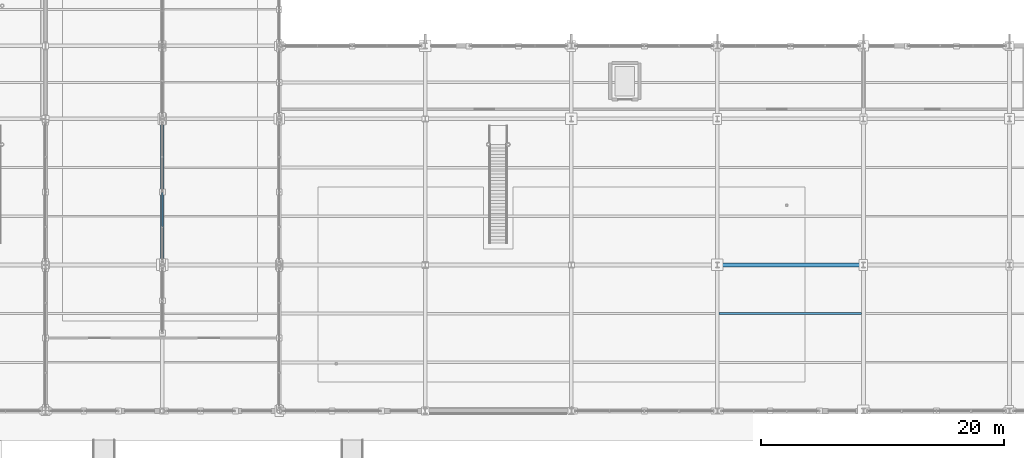
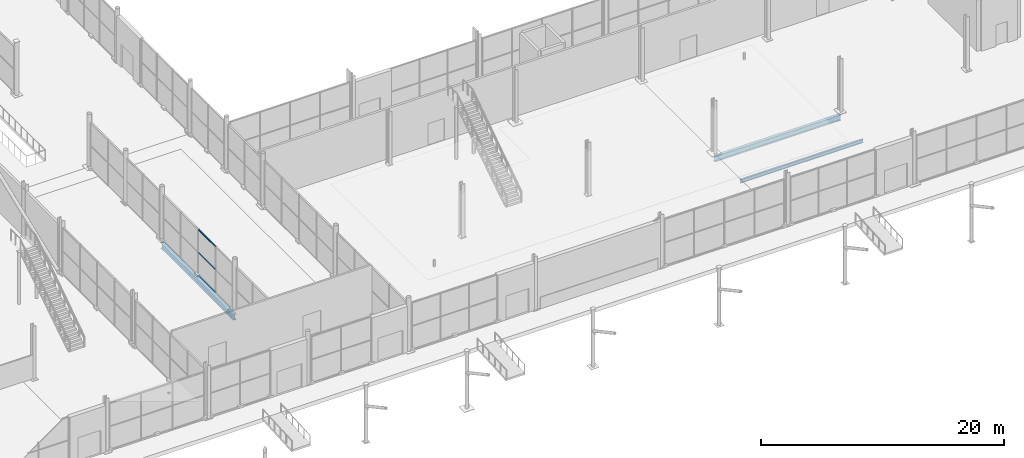
# One storey, part 72 of 196: 3 beams, 3 members, 1 element without a shape of its own.
"""IFC4 building model written with IfcOpenShell, lengths in metres."""

from ifc_helpers import new_model, si_unit, direction, frame, origin, origin_2d, place, context, subcontext, project, spatial, hollow_rectangle, i_section, extrude, material, material_profile, profile_set, type_object, element, aggregate, save


model = new_model("IFC4")

# Units and contexts
model_context = context("Model", 3, precision=1e-05, world=origin(), true_north=direction((0.0, 1.0)))
body_context = subcontext(model_context, "Body", "Model", "MODEL_VIEW")
ifc_project = project(units=[si_unit("LENGTHUNIT", "METRE"), si_unit("AREAUNIT", "SQUARE_METRE"), si_unit("VOLUMEUNIT", "CUBIC_METRE"), si_unit("PLANEANGLEUNIT", "RADIAN"), si_unit("MASSUNIT", "GRAM", prefix="KILO")], contexts=[model_context])

# Site, building, storey
site_placement = place(None, origin())
site = spatial("IfcSite", under=ifc_project, at=site_placement, CompositionType="ELEMENT")
building_placement = place(site_placement, origin())
building = spatial("IfcBuilding", under=site, at=building_placement, Name="Merenkruunu Market Hall", CompositionType="ELEMENT")
storey_placement = place(building_placement, origin())
storey = spatial("IfcBuildingStorey", under=building, at=storey_placement, Name="L00", CompositionType="ELEMENT", Elevation=0.0)

# Curtain wall, members
ifc_material_1 = material(Name="Powder-coated aluminium", Category="aluminium")
curtain_wall_type = type_object("IfcCurtainWallType", Name="Glazed Curtain Wall CW15", PredefinedType="USERDEFINED", material=ifc_material_1)
curtain_wall_placement = place(storey_placement, origin())
curtain_wall = element("IfcCurtainWall", 1, at=curtain_wall_placement, inside=storey, type_object=curtain_wall_type, Name="CW-L00-CWM01-170", ObjectType="GLAZED_FACADE", PredefinedType="USERDEFINED")
ifc_material_profile_1 = material_profile(ifc_material_1, hollow_rectangle(XDim=0.06005859375, YDim=0.125, WallThickness=0.00390625, at=origin_2d()), Name="ALU 60x125x4")
ifc_profile_set_1 = profile_set([ifc_material_profile_1], Name="Powder-coated aluminium")
member_type = type_object("IfcMemberType", Name="Curtain Wall Transom CWT01", PredefinedType="USERDEFINED", material=ifc_profile_set_1)
member_1_placement = place(storey_placement, frame((67.199951171875, 30.77001953125, 0.030029296875), z_axis=(0.0, 1.0, 0.0), x_axis=(0.0, 0.0, 1.0)))
member_1 = element("IfcMember", 2, at=member_1_placement, type_object=member_type, Name="CW15 transom 2.1", ObjectType="TRANSOM", PredefinedType="USERDEFINED", context=body_context, shape_type="SweptSolid", body=[
    extrude(hollow_rectangle(XDim=0.06005859375, YDim=0.125, WallThickness=0.00390625, at=origin_2d()), origin(), (0.0, 0.0, 1.0), 2.800048828125),
])
member_2_placement = place(storey_placement, frame((67.199951171875, 30.77001953125, 2.324951171875), z_axis=(0.0, 1.0, 0.0), x_axis=(0.0, 0.0, 1.0)))
member_2 = element("IfcMember", 3, at=member_2_placement, type_object=member_type, Name="CW15 transom 2.2", ObjectType="TRANSOM", PredefinedType="USERDEFINED", context=body_context, shape_type="SweptSolid", body=[
    extrude(hollow_rectangle(XDim=0.06005859375, YDim=0.125, WallThickness=0.00390625, at=origin_2d()), origin(), (0.0, 0.0, 1.0), 2.800048828125),
])
member_3_placement = place(storey_placement, frame((67.199951171875, 30.77001953125, 4.6201171875), z_axis=(0.0, 1.0, 0.0), x_axis=(0.0, 0.0, 1.0)))
member_3 = element("IfcMember", 4, at=member_3_placement, type_object=member_type, Name="CW15 transom 2.3", ObjectType="TRANSOM", PredefinedType="USERDEFINED", context=body_context, shape_type="SweptSolid", body=[
    extrude(hollow_rectangle(XDim=0.06005859375, YDim=0.125, WallThickness=0.00390625, at=origin_2d()), origin(), (0.0, 0.0, 1.0), 2.800048828125),
])
aggregate(curtain_wall, [member_1, member_2, member_3])

# Beams
ifc_material_2 = material(Name="Steel S355J2", Category="steel")
ifc_material_profile_2 = material_profile(ifc_material_2, i_section(OverallWidth=0.300048828125, OverallDepth=0.550048828125, WebThickness=0.014892578125, FlangeThickness=0.029052734375, FilletRadius=0.027099609375, at=origin_2d()), Name="HEB 550")
ifc_profile_set_2 = profile_set([ifc_material_profile_2], Name="Steel S355J2")
beam_type_1 = type_object("IfcBeamType", Name="Primary Floor Girder B02", PredefinedType="BEAM", material=ifc_profile_set_2)
beam_1_placement = place(storey_placement, frame((112.800048828125, 27.60009765625, -0.574951171875), z_axis=(1.0, 0.0, 0.0), x_axis=(0.0, 1.0, 0.0)))
element("IfcBeam", 5, at=beam_1_placement, inside=storey, type_object=beam_type_1, Name="BM-L00-B02-0038", PredefinedType="BEAM", context=body_context, shape_type="SweptSolid", body=[
    extrude(i_section(OverallWidth=0.300048828125, OverallDepth=0.550048828125, WebThickness=0.014892578125, FlangeThickness=0.029052734375, FilletRadius=0.027099609375, at=origin_2d()), origin(), (0.0, 0.0, 1.0), 12.0),
])
ifc_material_profile_3 = material_profile(ifc_material_2, i_section(OverallWidth=0.300048828125, OverallDepth=0.5400390625, WebThickness=0.012451171875, FlangeThickness=0.02392578125, FilletRadius=0.027099609375, at=origin_2d()), Name="HEA 550")
ifc_profile_set_3 = profile_set([ifc_material_profile_3], Name="Steel S355J2")
beam_type_2 = type_object("IfcBeamType", Name="Primary Floor Girder B06", PredefinedType="BEAM", material=ifc_profile_set_3)
beam_2_placement = place(storey_placement, frame((67.199951171875, 27.60009765625, -0.570068359375), z_axis=(0.0, 1.0, 0.0), x_axis=(-1.0, 0.0, 0.0)))
element("IfcBeam", 6, at=beam_2_placement, inside=storey, type_object=beam_type_2, Name="BM-L00-B06-0195", PredefinedType="BEAM", context=body_context, shape_type="SweptSolid", body=[
    extrude(i_section(OverallWidth=0.300048828125, OverallDepth=0.5400390625, WebThickness=0.012451171875, FlangeThickness=0.02392578125, FilletRadius=0.027099609375, at=origin_2d()), origin(), (0.0, 0.0, 1.0), 12.0),
])
ifc_material_profile_4 = material_profile(ifc_material_2, i_section(OverallWidth=0.169921875, OverallDepth=0.360107421875, WebThickness=0.008056640625, FlangeThickness=0.0126953125, FilletRadius=0.01806640625, at=origin_2d()), Name="IPE 360")
ifc_profile_set_4 = profile_set([ifc_material_profile_4], Name="Steel S355J2")
beam_type_3 = type_object("IfcBeamType", Name="Secondary Floor Joist J03", PredefinedType="JOIST", material=ifc_profile_set_4)
beam_3_placement = place(storey_placement, frame((112.952880859375, 23.60009765625, -0.47998046875), z_axis=(1.0, 0.0, 0.0), x_axis=(0.0, 1.0, 0.0)))
element("IfcBeam", 7, at=beam_3_placement, inside=storey, type_object=beam_type_3, Name="BM-L00-J03-0397", PredefinedType="JOIST", context=body_context, shape_type="SweptSolid", body=[
    extrude(i_section(OverallWidth=0.169921875, OverallDepth=0.360107421875, WebThickness=0.008056640625, FlangeThickness=0.0126953125, FilletRadius=0.01806640625, at=origin_2d()), origin(), (0.0, 0.0, 1.0), 11.694091796875),
])

save(model, "model.ifc")
